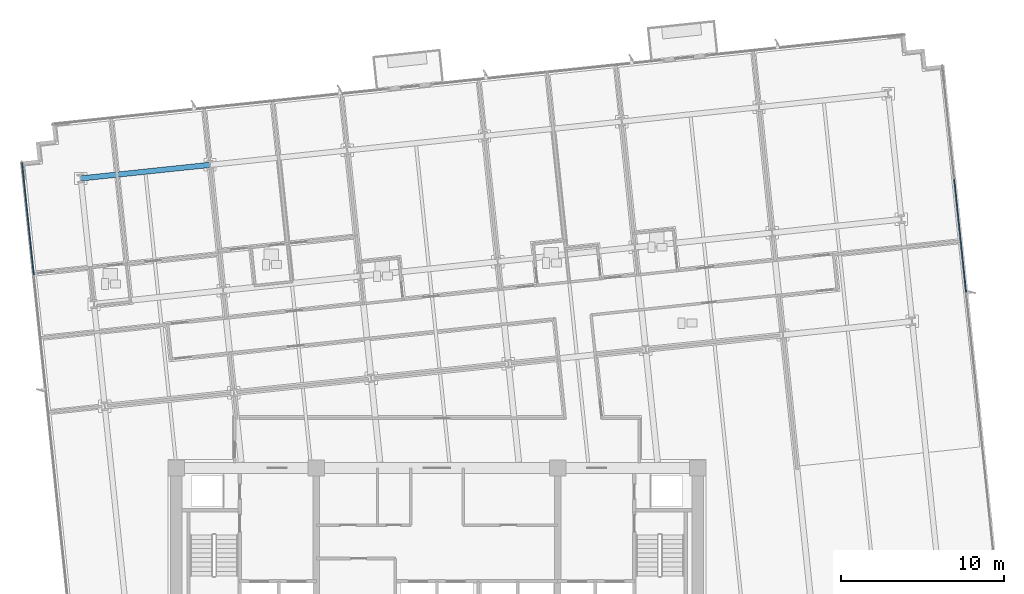
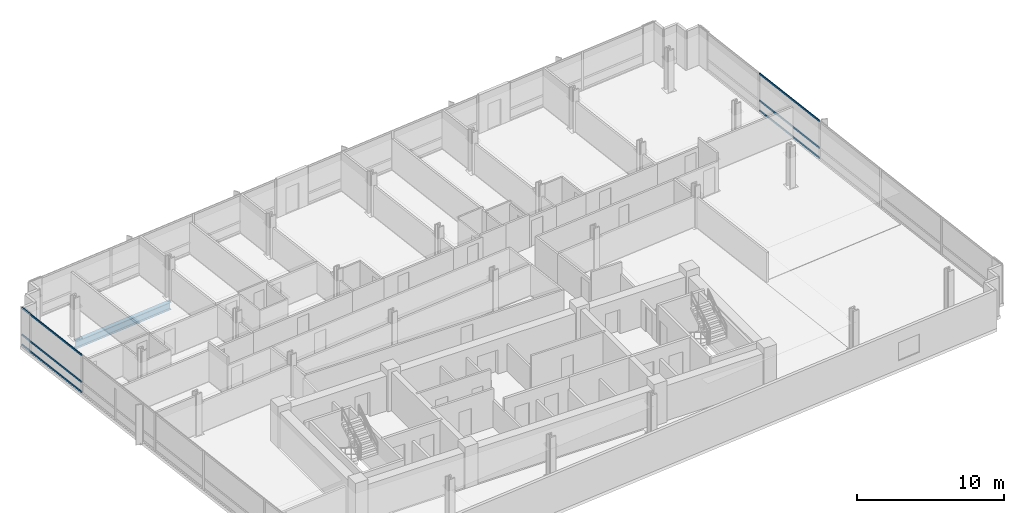
# One storey, part 6 of 17: 6 members, 1 beam, 2 elements without a shape of their own.
"""IFC4 building model written with IfcOpenShell, lengths in metres."""

from ifc_helpers import new_model, si_unit, direction, frame, origin, origin_2d, place, context, subcontext, project, spatial, rectangle, i_section, extrude, material, material_profile, profile_set, type_object, element, aggregate, save


model = new_model("IFC4")

# Units and contexts
model_context = context("Model", 3, precision=1e-05, world=origin(), true_north=direction((0.0, 1.0)))
body_context = subcontext(model_context, "Body", "Model", "MODEL_VIEW")
ifc_project = project(units=[si_unit("LENGTHUNIT", "METRE"), si_unit("AREAUNIT", "SQUARE_METRE"), si_unit("VOLUMEUNIT", "CUBIC_METRE"), si_unit("PLANEANGLEUNIT", "RADIAN"), si_unit("MASSUNIT", "GRAM", prefix="KILO")], contexts=[model_context])

# Site, building, storey
site_placement = place(None, origin())
site = spatial("IfcSite", under=ifc_project, at=site_placement, CompositionType="ELEMENT")
building_placement = place(site_placement, origin())
building = spatial("IfcBuilding", under=site, at=building_placement, Name="Solmavex Isthmus Hotel", CompositionType="ELEMENT")
storey_placement = place(building_placement, frame((0.0, 0.0, 116.699951171875)))
storey = spatial("IfcBuildingStorey", under=building, at=storey_placement, Name="L31", CompositionType="ELEMENT", Elevation=116.699951171875)

# Beam
ifc_material_1 = material(Name="Steel ASTM A992 Grade 50", Category="steel")
ifc_material_profile_1 = material_profile(ifc_material_1, i_section(OverallWidth=0.326416015625, OverallDepth=0.621826171875, WebThickness=0.015380859375, FlangeThickness=0.0244140625, FilletRadius=0.01513671875, at=origin_2d()), Name="W24X131")
ifc_profile_set_1 = profile_set([ifc_material_profile_1], Name="Steel ASTM A992 Grade 50")
beam_type = type_object("IfcBeamType", Name="BM-SP-W24X131", PredefinedType="SPANDREL", material=ifc_profile_set_1)
beam_placement = place(storey_placement, frame((-21.851806640625, 15.2587890625, -0.57080078125), z_axis=(0.994523402738, 0.104514120609, 0.0), x_axis=(-0.104514120609, 0.994523402738, 0.0)))
element("IfcBeam", 1, at=beam_placement, inside=storey, type_object=beam_type, Name="Floor Girder L31-UG19", PredefinedType="SPANDREL", context=body_context, shape_type="SweptSolid", body=[
    extrude(i_section(OverallWidth=0.326416015625, OverallDepth=0.621826171875, WebThickness=0.015380859375, FlangeThickness=0.0244140625, FilletRadius=0.01513671875, at=origin_2d()), origin(), (0.0, 0.0, 1.0), 7.968017578125),
])

# Curtain wall, members
ifc_material_2 = material(Name="Aluminium alloy 6063-T6", Category="aluminium")
curtain_wall_type = type_object("IfcCurtainWallType", Name="CW-SYS-03", PredefinedType="NOTDEFINED", material=ifc_material_2)
curtain_wall_1_placement = place(storey_placement, origin())
curtain_wall_1 = element("IfcCurtainWall", 2, at=curtain_wall_1_placement, inside=storey, type_object=curtain_wall_type, Name="Stick Curtain Wall CWL-L31-W1", PredefinedType="NOTDEFINED")
ifc_material_profile_2 = material_profile(ifc_material_2, rectangle(XDim=0.070068359375, YDim=0.139892578125, at=origin_2d()), Name="CWT-70X140")
ifc_profile_set_2 = profile_set([ifc_material_profile_2], Name="Aluminium alloy 6063-T6")
member_type = type_object("IfcMemberType", Name="CW-SYS-03-TRN", PredefinedType="USERDEFINED", material=ifc_profile_set_2)
member_1_placement = place(storey_placement, frame((-24.728759765625, 9.340576171875, 0.070068359375), z_axis=(-0.104539595565, 0.994520725254, 0.0), x_axis=(-0.994520725254, -0.104539595565, 0.0)))
member_1 = element("IfcMember", 3, at=member_1_placement, type_object=member_type, Name="CW-03 transom 5.1", ObjectType="TRANSOM", PredefinedType="USERDEFINED", context=body_context, shape_type="SweptSolid", body=[
    extrude(rectangle(XDim=0.070068359375, YDim=0.139892578125, at=origin_2d()), origin(), (0.0, 0.0, 1.0), 6.9150390625),
])
member_2_placement = place(storey_placement, frame((-24.728759765625, 9.340576171875, 0.900146484375), z_axis=(-0.104539595565, 0.994520725254, 0.0), x_axis=(-0.994520725254, -0.104539595565, 0.0)))
member_2 = element("IfcMember", 4, at=member_2_placement, type_object=member_type, Name="CW-03 transom 5.2", ObjectType="TRANSOM", PredefinedType="USERDEFINED", context=body_context, shape_type="SweptSolid", body=[
    extrude(rectangle(XDim=0.070068359375, YDim=0.139892578125, at=origin_2d()), origin(), (0.0, 0.0, 1.0), 6.9150390625),
])
member_3_placement = place(storey_placement, frame((-24.728759765625, 9.340576171875, 3.1201171875), z_axis=(-0.104539595565, 0.994520725254, 0.0), x_axis=(-0.994520725254, -0.104539595565, 0.0)))
member_3 = element("IfcMember", 5, at=member_3_placement, type_object=member_type, Name="CW-03 transom 5.3", ObjectType="TRANSOM", PredefinedType="USERDEFINED", context=body_context, shape_type="SweptSolid", body=[
    extrude(rectangle(XDim=0.070068359375, YDim=0.139892578125, at=origin_2d()), origin(), (0.0, 0.0, 1.0), 6.9150390625),
])
aggregate(curtain_wall_1, [member_1, member_2, member_3])

curtain_wall_2_placement = place(storey_placement, origin())
curtain_wall_2 = element("IfcCurtainWall", 6, at=curtain_wall_2_placement, inside=storey, type_object=curtain_wall_type, Name="Stick Curtain Wall CWL-L31-E1", PredefinedType="NOTDEFINED")
member_4_placement = place(storey_placement, frame((32.4541015625, 8.2919921875, 0.070068359375), z_axis=(-0.104538500317, 0.994520840381, 0.0), x_axis=(-0.994520840381, -0.104538500317, 0.0)))
member_4 = element("IfcMember", 7, at=member_4_placement, type_object=member_type, Name="CW-03 transom 4.1", ObjectType="TRANSOM", PredefinedType="USERDEFINED", context=body_context, shape_type="SweptSolid", body=[
    extrude(rectangle(XDim=0.070068359375, YDim=0.139892578125, at=origin_2d()), origin(), (0.0, 0.0, 1.0), 6.9501953125),
])
member_5_placement = place(storey_placement, frame((32.4541015625, 8.2919921875, 0.900146484375), z_axis=(-0.104538500317, 0.994520840381, 0.0), x_axis=(-0.994520840381, -0.104538500317, 0.0)))
member_5 = element("IfcMember", 8, at=member_5_placement, type_object=member_type, Name="CW-03 transom 4.2", ObjectType="TRANSOM", PredefinedType="USERDEFINED", context=body_context, shape_type="SweptSolid", body=[
    extrude(rectangle(XDim=0.070068359375, YDim=0.139892578125, at=origin_2d()), origin(), (0.0, 0.0, 1.0), 6.9501953125),
])
member_6_placement = place(storey_placement, frame((32.4541015625, 8.2919921875, 3.1201171875), z_axis=(-0.104538500317, 0.994520840381, 0.0), x_axis=(-0.994520840381, -0.104538500317, 0.0)))
member_6 = element("IfcMember", 9, at=member_6_placement, type_object=member_type, Name="CW-03 transom 4.3", ObjectType="TRANSOM", PredefinedType="USERDEFINED", context=body_context, shape_type="SweptSolid", body=[
    extrude(rectangle(XDim=0.070068359375, YDim=0.139892578125, at=origin_2d()), origin(), (0.0, 0.0, 1.0), 6.9501953125),
])
aggregate(curtain_wall_2, [member_4, member_5, member_6])

save(model, "model.ifc")
